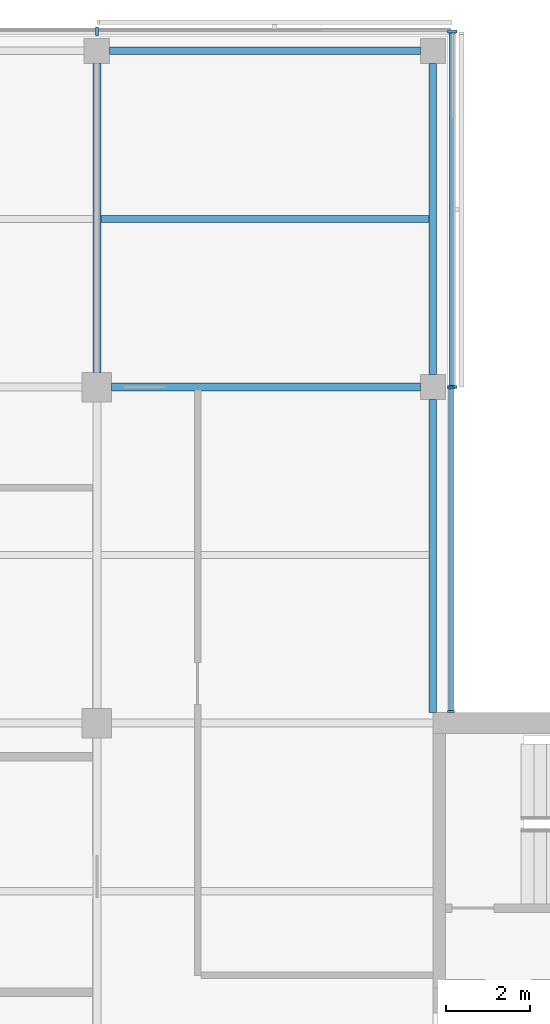
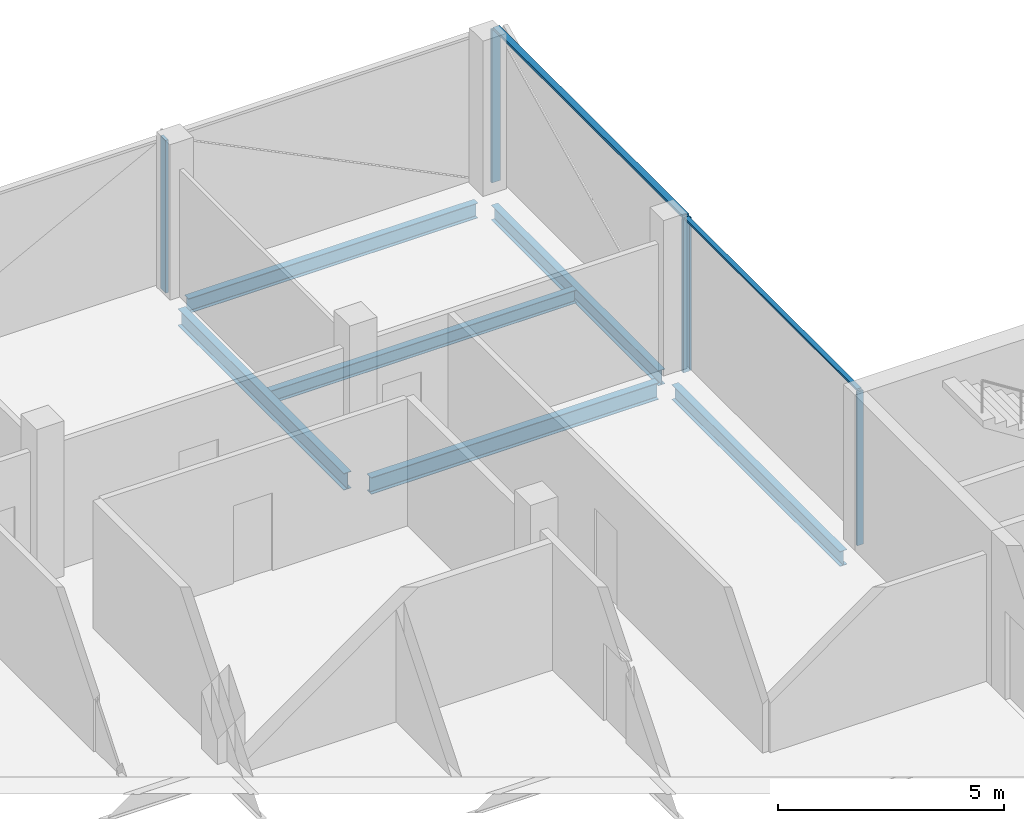
# One storey, part 7 of 16: 7 members, 6 beams, 3 elements without a shape of their own.
"""IFC4 building model written with IfcOpenShell, lengths in metres."""

from ifc_helpers import new_model, si_unit, direction, frame, origin, origin_2d, place, context, subcontext, project, spatial, rectangle, i_section, extrude, material, material_profile, profile_set, type_object, element, aggregate, save


model = new_model("IFC4")

# Units and contexts
model_context = context("Model", 3, precision=1e-05, world=origin(), true_north=direction((0.0, 1.0)))
body_context = subcontext(model_context, "Body", "Model", "MODEL_VIEW")
ifc_project = project(units=[si_unit("LENGTHUNIT", "METRE"), si_unit("AREAUNIT", "SQUARE_METRE"), si_unit("VOLUMEUNIT", "CUBIC_METRE"), si_unit("PLANEANGLEUNIT", "RADIAN"), si_unit("MASSUNIT", "GRAM", prefix="KILO")], contexts=[model_context])

# Site, building, storey
site_placement = place(None, origin())
site = spatial("IfcSite", under=ifc_project, at=site_placement, CompositionType="ELEMENT")
building_placement = place(site_placement, origin())
building = spatial("IfcBuilding", under=site, at=building_placement, Name="Crosswind Convention Tower", CompositionType="ELEMENT")
storey_placement = place(building_placement, frame((0.0, 0.0, 287.10009765625)))
storey = spatial("IfcBuildingStorey", under=building, at=storey_placement, Name="L62", CompositionType="ELEMENT", Elevation=287.10009765625)

# Beams
ifc_material_1 = material(Name="Steel S355", Category="steel")
ifc_material_profile_1 = material_profile(ifc_material_1, i_section(OverallWidth=0.177734375, OverallDepth=0.406494140625, WebThickness=0.0078125, FlangeThickness=0.0126953125, FilletRadius=0.01025390625, at=origin_2d()), Name="UB 406x178x60")
ifc_profile_set_1 = profile_set([ifc_material_profile_1], Name="Steel S355")
beam_type_1 = type_object("IfcBeamType", Name="Edge beam UB 406x178x60", PredefinedType="SPANDREL", material=ifc_profile_set_1)
beam_1_placement = place(storey_placement, frame((129.300048828125, 128.0, -0.50341796875), z_axis=(1.0, 0.0, 0.0), x_axis=(0.0, 1.0, 0.0)))
element("IfcBeam", 1, at=beam_1_placement, inside=storey, type_object=beam_type_1, Name="B15 L62 edge beam 10", PredefinedType="SPANDREL", context=body_context, shape_type="SweptSolid", body=[
    extrude(i_section(OverallWidth=0.177734375, OverallDepth=0.406494140625, WebThickness=0.0078125, FlangeThickness=0.0126953125, FilletRadius=0.01025390625, at=origin_2d()), origin(), (0.0, 0.0, 1.0), 7.39990234375),
])
beam_2_placement = place(storey_placement, frame((137.0, 112.25, -0.50341796875), z_axis=(0.0, 1.0, 0.0), x_axis=(-1.0, 0.0, 0.0)))
element("IfcBeam", 2, at=beam_2_placement, inside=storey, type_object=beam_type_1, Name="B15 L62 edge beam 13", PredefinedType="SPANDREL", context=body_context, shape_type="SweptSolid", body=[
    extrude(i_section(OverallWidth=0.177734375, OverallDepth=0.406494140625, WebThickness=0.0078125, FlangeThickness=0.0126953125, FilletRadius=0.01025390625, at=origin_2d()), origin(), (0.0, 0.0, 1.0), 7.449951171875),
])
beam_3_placement = place(storey_placement, frame((137.0, 120.300048828125, -0.50341796875), z_axis=(0.0, 1.0, 0.0), x_axis=(-1.0, 0.0, 0.0)))
element("IfcBeam", 3, at=beam_3_placement, inside=storey, type_object=beam_type_1, Name="B15 L62 edge beam 14", PredefinedType="SPANDREL", context=body_context, shape_type="SweptSolid", body=[
    extrude(i_section(OverallWidth=0.177734375, OverallDepth=0.406494140625, WebThickness=0.0078125, FlangeThickness=0.0126953125, FilletRadius=0.01025390625, at=origin_2d()), origin(), (0.0, 0.0, 1.0), 7.39990234375),
])
ifc_material_profile_2 = material_profile(ifc_material_1, i_section(OverallWidth=0.18994140625, OverallDepth=0.45361328125, WebThickness=0.008544921875, FlangeThickness=0.0126953125, FilletRadius=0.01025390625, at=origin_2d()), Name="UB 457x191x67")
ifc_profile_set_2 = profile_set([ifc_material_profile_2], Name="Steel S355")
beam_type_2 = type_object("IfcBeamType", Name="Girder UB 457x191x67", PredefinedType="BEAM", material=ifc_profile_set_2)
for number, where, z_axis, x_axis, name in (
    (4, (129.0, 120.35009765625, -0.52685546875), (0.0, 1.0, 0.0), (-1.0, 0.0, 0.0), "B1 L62 girder 22"),
    (5, (129.35009765625, 120.0, -0.52685546875), (1.0, 0.0, 0.0), (0.0, 1.0, 0.0), "B1 L62 girder 24"),
):
    element("IfcBeam", number, at=place(storey_placement, frame(where, z_axis=z_axis, x_axis=x_axis)), inside=storey, type_object=beam_type_2, Name=name, PredefinedType="BEAM", context=body_context, shape_type="SweptSolid", body=[
        extrude(i_section(OverallWidth=0.18994140625, OverallDepth=0.45361328125, WebThickness=0.008544921875, FlangeThickness=0.0126953125, FilletRadius=0.01025390625, at=origin_2d()), origin(), (0.0, 0.0, 1.0), 7.349853515625),
    ])

# Curtain wall, members
ifc_material_2 = material(Name="Aluminium unitised curtain wall", Category="aluminium")
curtain_wall_type_1 = type_object("IfcCurtainWallType", Name="CORE END SLOT WALL 160", PredefinedType="USERDEFINED", material=ifc_material_2)
curtain_wall_1_placement = place(storey_placement, origin())
curtain_wall_1 = element("IfcCurtainWall", 6, at=curtain_wall_1_placement, inside=storey, type_object=curtain_wall_type_1, Name="CW6 L62 N-E.1-1 slot", ObjectType="UNITISED", PredefinedType="USERDEFINED")
ifc_material_3 = material(Name="Aluminium mullion", Category="aluminium")
ifc_material_profile_3 = material_profile(ifc_material_3, rectangle(XDim=0.159912109375, YDim=0.050048828125, at=origin_2d()), Name="AL 160X50")
ifc_profile_set_3 = profile_set([ifc_material_profile_3], Name="Aluminium mullion")
member_type_1 = type_object("IfcMemberType", Name="MULLION 50X160", PredefinedType="MULLION", material=ifc_profile_set_3)
member_1_placement = place(storey_placement, frame((137.429931640625, 112.27490234375, -0.300048828125), z_axis=(0.0, 0.0, 1.0), x_axis=(1.0, 0.0, 0.0)))
member_1 = element("IfcMember", 7, at=member_1_placement, type_object=member_type_1, Name="CW6 mullion 1", PredefinedType="MULLION", context=body_context, shape_type="SweptSolid", body=[
    extrude(rectangle(XDim=0.159912109375, YDim=0.050048828125, at=origin_2d()), origin(), (0.0, 0.0, 1.0), 4.14990234375),
])
member_2_placement = place(storey_placement, frame((137.429931640625, 119.97509765625, -0.300048828125), z_axis=(0.0, 0.0, 1.0), x_axis=(1.0, 0.0, 0.0)))
member_2 = element("IfcMember", 8, at=member_2_placement, type_object=member_type_1, Name="CW6 mullion 2", PredefinedType="MULLION", context=body_context, shape_type="SweptSolid", body=[
    extrude(rectangle(XDim=0.159912109375, YDim=0.050048828125, at=origin_2d()), origin(), (0.0, 0.0, 1.0), 4.14990234375),
])

curtain_wall_type_2 = type_object("IfcCurtainWallType", Name="OFFICE UNITISED WALL 220", PredefinedType="USERDEFINED", material=ifc_material_2)
curtain_wall_2_placement = place(storey_placement, origin())
curtain_wall_2 = element("IfcCurtainWall", 9, at=curtain_wall_2_placement, inside=storey, type_object=curtain_wall_type_2, Name="CW3 L62 N-E 1", ObjectType="UNITISED", PredefinedType="USERDEFINED")
ifc_material_profile_4 = material_profile(ifc_material_3, rectangle(XDim=0.219970703125, YDim=0.070068359375, at=origin_2d()), Name="AL 220X70")
ifc_profile_set_4 = profile_set([ifc_material_profile_4], Name="Aluminium mullion")
member_type_2 = type_object("IfcMemberType", Name="MULLION 70X220", PredefinedType="MULLION", material=ifc_profile_set_4)
member_3_placement = place(storey_placement, frame((137.4599609375, 120.0, -0.300048828125), z_axis=(0.0, 0.0, 1.0), x_axis=(1.0, 0.0, 0.0)))
member_3 = element("IfcMember", 10, at=member_3_placement, type_object=member_type_2, Name="CW3 mullion 1", PredefinedType="MULLION", context=body_context, shape_type="SweptSolid", body=[
    extrude(rectangle(XDim=0.219970703125, YDim=0.070068359375, at=origin_2d()), origin(), (0.0, 0.0, 1.0), 4.1298828125),
])
member_4_placement = place(storey_placement, frame((137.4599609375, 128.4599609375, -0.300048828125), z_axis=(0.0, 0.0, 1.0), x_axis=(1.0, 0.0, 0.0)))
member_4 = element("IfcMember", 11, at=member_4_placement, type_object=member_type_2, Name="CW3 mullion 2", PredefinedType="MULLION", context=body_context, shape_type="SweptSolid", body=[
    extrude(rectangle(XDim=0.219970703125, YDim=0.070068359375, at=origin_2d()), origin(), (0.0, 0.0, 1.0), 4.1298828125),
])

# Curtain wall, member
curtain_wall_3_placement = place(storey_placement, origin())
curtain_wall_3 = element("IfcCurtainWall", 12, at=curtain_wall_3_placement, inside=storey, type_object=curtain_wall_type_2, Name="CW3 L62 N-TIP 1", ObjectType="UNITISED", PredefinedType="USERDEFINED")
member_5_placement = place(storey_placement, frame((129.0, 128.4599609375, -0.300048828125), z_axis=(0.0, 0.0, 1.0), x_axis=(0.0, 1.0, 0.0)))
member_5 = element("IfcMember", 13, at=member_5_placement, type_object=member_type_2, Name="CW3 mullion 2", PredefinedType="MULLION", context=body_context, shape_type="SweptSolid", body=[
    extrude(rectangle(XDim=0.219970703125, YDim=0.070068359375, at=origin_2d()), origin(), (0.0, 0.0, 1.0), 4.1298828125),
])
aggregate(curtain_wall_3, [member_5])

# Beam
ifc_material_profile_5 = material_profile(ifc_material_1, i_section(OverallWidth=0.17138671875, OverallDepth=0.355712890625, WebThickness=0.00732421875, FlangeThickness=0.011474609375, FilletRadius=0.01025390625, at=origin_2d()), Name="UB 356x171x51")
ifc_profile_set_5 = profile_set([ifc_material_profile_5], Name="Steel S355")
beam_type_3 = type_object("IfcBeamType", Name="Secondary beam UB 356x171x51", PredefinedType="JOIST", material=ifc_profile_set_5)
beam_4_placement = place(storey_placement, frame((129.094970703125, 124.0, -0.477783203125), z_axis=(1.0, 0.0, 0.0), x_axis=(0.0, 1.0, 0.0)))
element("IfcBeam", 14, at=beam_4_placement, inside=storey, type_object=beam_type_3, Name="B8 L62 secondary beam 21", PredefinedType="JOIST", context=body_context, shape_type="SweptSolid", body=[
    extrude(i_section(OverallWidth=0.17138671875, OverallDepth=0.355712890625, WebThickness=0.00732421875, FlangeThickness=0.011474609375, FilletRadius=0.01025390625, at=origin_2d()), origin(), (0.0, 0.0, 1.0), 7.816162109375),
])

# Member
ifc_material_4 = material(Name="Aluminium transom", Category="aluminium")
ifc_material_profile_6 = material_profile(ifc_material_4, rectangle(XDim=0.1201171875, YDim=0.050048828125, at=origin_2d()), Name="AL 120X50")
ifc_profile_set_6 = profile_set([ifc_material_profile_6], Name="Aluminium transom")
member_type_3 = type_object("IfcMemberType", Name="TRANSOM 50X120", PredefinedType="USERDEFINED", material=ifc_profile_set_6)
member_6_placement = place(storey_placement, frame((137.429931640625, 112.300048828125, 3.875), z_axis=(0.0, 1.0, 0.0), x_axis=(-1.0, 0.0, 0.0)))
member_6 = element("IfcMember", 15, at=member_6_placement, type_object=member_type_3, Name="CW6 transom", ObjectType="TRANSOM", PredefinedType="USERDEFINED", context=body_context, shape_type="SweptSolid", body=[
    extrude(rectangle(XDim=0.1201171875, YDim=0.050048828125, at=origin_2d()), origin(), (0.0, 0.0, 1.0), 7.64990234375),
])

aggregate(curtain_wall_1, [member_1, member_2, member_6])

ifc_material_profile_7 = material_profile(ifc_material_4, rectangle(XDim=0.159912109375, YDim=0.070068359375, at=origin_2d()), Name="AL 160X70")
ifc_profile_set_7 = profile_set([ifc_material_profile_7], Name="Aluminium transom")
member_type_4 = type_object("IfcMemberType", Name="TRANSOM 70X160", PredefinedType="USERDEFINED", material=ifc_profile_set_7)
member_7_placement = place(storey_placement, frame((137.4599609375, 120.034912109375, 3.864990234375), z_axis=(0.0, 1.0, 0.0), x_axis=(-1.0, 0.0, 0.0)))
member_7 = element("IfcMember", 16, at=member_7_placement, type_object=member_type_4, Name="CW3 transom", ObjectType="TRANSOM", PredefinedType="USERDEFINED", context=body_context, shape_type="SweptSolid", body=[
    extrude(rectangle(XDim=0.159912109375, YDim=0.070068359375, at=origin_2d()), origin(), (0.0, 0.0, 1.0), 8.39013671875),
])

aggregate(curtain_wall_2, [member_3, member_4, member_7])

save(model, "model.ifc")
